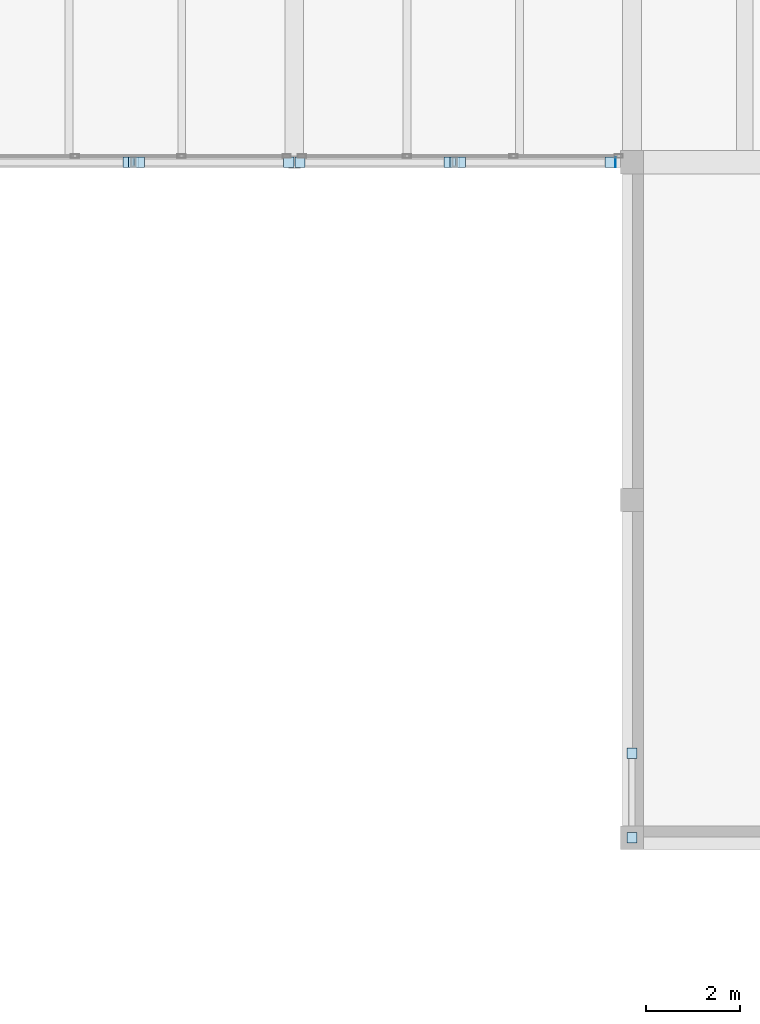
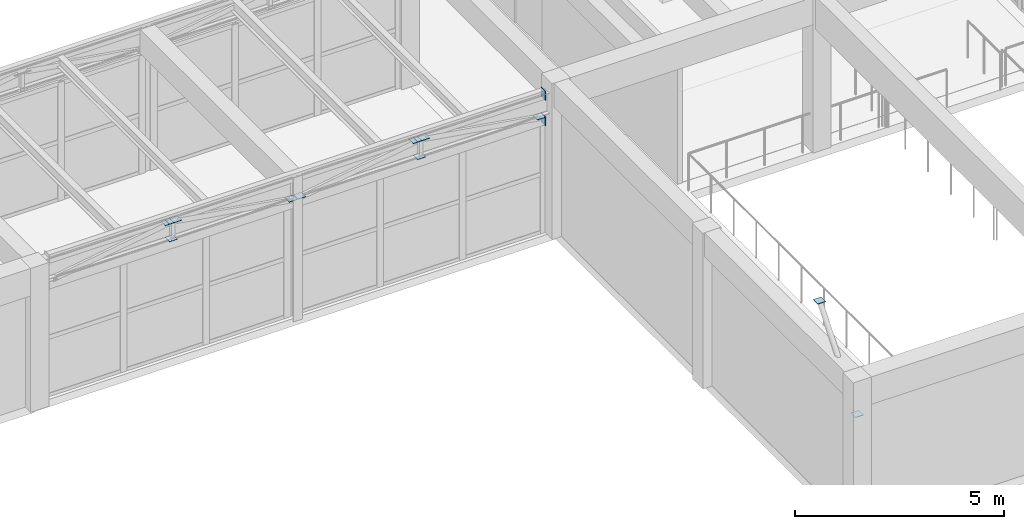
# One storey, part 127 of 153: 15 plates.
"""IFC4 building model written with IfcOpenShell, lengths in metres."""

from ifc_helpers import new_model, si_unit, direction, frame, origin, origin_2d, place, context, subcontext, project, spatial, rectangle, extrude, material, layer, layer_set, type_object, element, save


model = new_model("IFC4")

# Units and contexts
model_context = context("Model", 3, precision=1e-05, world=origin(), true_north=direction((0.0, 1.0)))
body_context = subcontext(model_context, "Body", "Model", "MODEL_VIEW")
ifc_project = project(units=[si_unit("LENGTHUNIT", "METRE"), si_unit("AREAUNIT", "SQUARE_METRE"), si_unit("VOLUMEUNIT", "CUBIC_METRE"), si_unit("PLANEANGLEUNIT", "RADIAN"), si_unit("MASSUNIT", "GRAM", prefix="KILO")], contexts=[model_context])

# Site, building, storey
site_placement = place(None, origin())
site = spatial("IfcSite", under=ifc_project, at=site_placement, CompositionType="ELEMENT")
building_placement = place(site_placement, origin())
building = spatial("IfcBuilding", under=site, at=building_placement, Name="Bramvelor Terrace Health Centre", CompositionType="ELEMENT")
storey_placement = place(building_placement, frame((0.0, 0.0, 4.800048828125)))
storey = spatial("IfcBuildingStorey", under=building, at=storey_placement, Name="L02", CompositionType="ELEMENT", Elevation=4.800048828125)

# Plates
ifc_material_1 = material(Name="Steel S355J2", Category="steel")
ifc_layer_1 = layer(ifc_material_1, 0.011962890625)
ifc_layer_set_1 = layer_set([ifc_layer_1], Name="Steel S355J2")
plate_type_1 = type_object("IfcPlateType", Name="PLT-CAP-12", PredefinedType="USERDEFINED", material=ifc_layer_set_1)
for number, where, z_axis, x_axis, name in (
    (1, (32.455078125, 50.39990234375, 4.02392578125), (0.0, 0.0, 1.0), (1.0, 0.0, 0.0), "BR1 Truss Node Gusset 0B"),
    (2, (32.574951171875, 50.39990234375, 3.51416015625), (0.0, 0.0, 1.0), (1.0, 0.0, 0.0), "BR1 Strut End Plate 1SB"),
    (3, (32.574951171875, 50.39990234375, 4.02392578125), (0.0, 0.0, 1.0), (1.0, 0.0, 0.0), "BR1 Strut End Plate 1ST"),
    (4, (32.695068359375, 50.39990234375, 4.02392578125), (0.0, 0.0, 1.0), (1.0, 0.0, 0.0), "BR1 Truss Node Gusset 1A"),
    (5, (35.8798828125, 50.39990234375, 3.51416015625), (0.0, 0.0, 1.0), (1.0, 0.0, 0.0), "BR1 Truss Node Gusset 1B"),
    (6, (36.1201171875, 50.39990234375, 3.51416015625), (0.0, 0.0, 1.0), (1.0, 0.0, 0.0), "BR1 Truss Node Gusset 2A"),
    (7, (39.304931640625, 50.39990234375, 4.02392578125), (0.0, 0.0, 1.0), (1.0, 0.0, 0.0), "BR1 Truss Node Gusset 2B"),
    (8, (39.425048828125, 50.39990234375, 3.51416015625), (0.0, 0.0, 1.0), (1.0, 0.0, 0.0), "BR1 Strut End Plate 3SB"),
    (9, (39.425048828125, 50.39990234375, 4.02392578125), (0.0, 0.0, 1.0), (1.0, 0.0, 0.0), "BR1 Strut End Plate 3ST"),
    (10, (39.544921875, 50.39990234375, 4.02392578125), (0.0, 0.0, 1.0), (1.0, 0.0, 0.0), "BR1 Truss Node Gusset 3A"),
    (11, (42.72998046875, 50.39990234375, 3.51416015625), (0.0, 0.0, 1.0), (1.0, 0.0, 0.0), "BR1 Truss Node Gusset 3B"),
):
    element("IfcPlate", number, at=place(storey_placement, frame(where, z_axis=z_axis, x_axis=x_axis)), inside=storey, type_object=plate_type_1, Name=name, ObjectType="GUSSET PLATE", PredefinedType="USERDEFINED", context=body_context, shape_type="SweptSolid", body=[
        extrude(rectangle(XDim=0.219970703125, YDim=0.219970703125, at=origin_2d()), origin(), (0.0, 0.0, 1.0), 0.011962890625),
    ])
for number, where, z_axis, x_axis, name in (
    (12, (42.85009765625, 50.39990234375, 3.259765625), (0.0, 0.0, 1.0), (1.0, 0.0, 0.0), "BR1 Truss Chord End Plate"),
    (13, (42.85009765625, 50.39990234375, 4.009765625), (0.0, 0.0, 1.0), (1.0, 0.0, 0.0), "BR1 Truss Chord End Plate"),
):
    element("IfcPlate", number, at=place(storey_placement, frame(where, z_axis=z_axis, x_axis=x_axis)), inside=storey, type_object=plate_type_1, Name=name, ObjectType="GUSSET PLATE", PredefinedType="USERDEFINED", context=body_context, shape_type="SweptSolid", body=[
        extrude(rectangle(XDim=0.011962890625, YDim=0.219970703125, at=origin_2d()), origin(), (0.0, 0.0, 1.0), 0.280029296875),
    ])
ifc_material_2 = material(Name="Steel S355J2", Category="steel")
ifc_layer_2 = layer(ifc_material_2, 0.011962890625)
ifc_layer_set_2 = layer_set([ifc_layer_2], Name="Steel S355J2")
plate_type_2 = type_object("IfcPlateType", Name="PLT-CAP-12-EXT", PredefinedType="USERDEFINED", material=ifc_layer_set_2)
for number, where, z_axis, x_axis, name in (
    (14, (43.199951171875, 36.0, 3.39404296875), (0.0, 0.0, 1.0), (1.0, 0.0, 0.0), "Storm-Eave Strut Cap Plate S1-1"),
    (15, (43.199951171875, 37.800048828125, 5.61572265625), (0.0, 0.0, 1.0), (1.0, 0.0, 0.0), "Storm-Eave Strut Cap Plate S1-2"),
):
    element("IfcPlate", number, at=place(storey_placement, frame(where, z_axis=z_axis, x_axis=x_axis)), inside=storey, type_object=plate_type_2, Name=name, ObjectType="GUSSET PLATE", PredefinedType="USERDEFINED", context=body_context, shape_type="SweptSolid", body=[
        extrude(rectangle(XDim=0.219970703125, YDim=0.219970703125, at=origin_2d()), origin(), (0.0, 0.0, 1.0), 0.011962890625),
    ])

save(model, "model.ifc")
